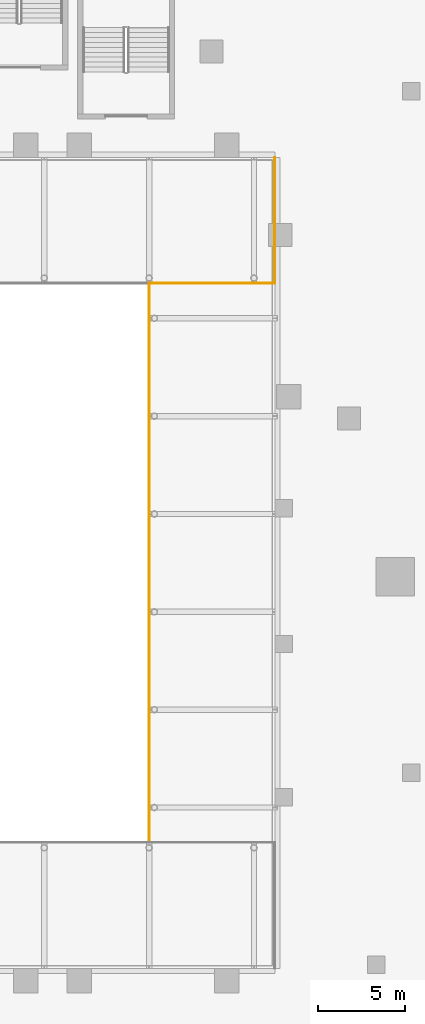
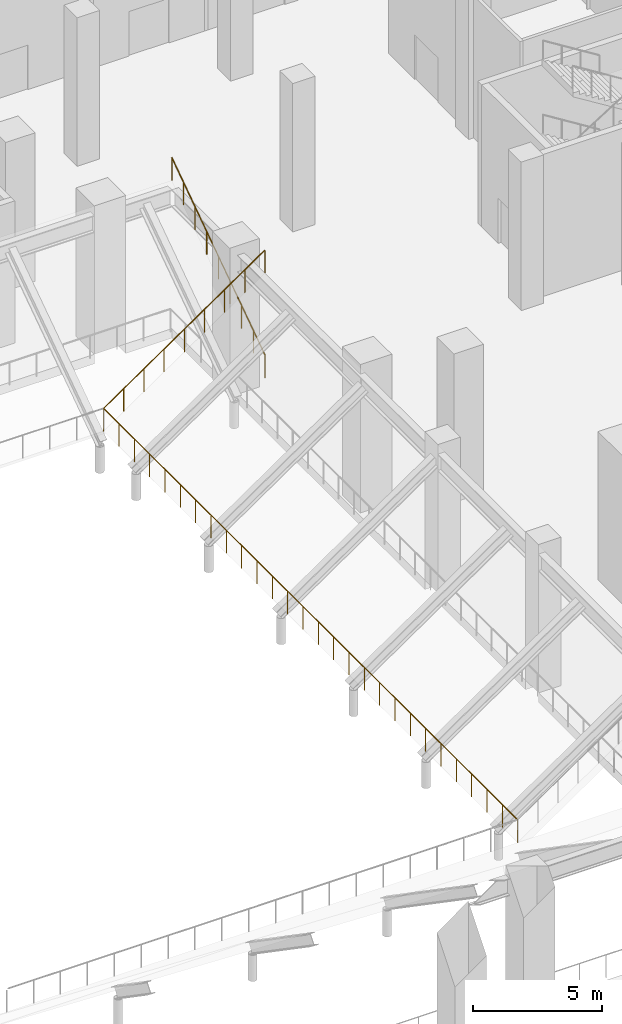
# One storey, part 37 of 41: 3 railings.
"""IFC4 building model written with IfcOpenShell, lengths in metres."""

from ifc_helpers import new_model, si_unit, direction, frame, origin, origin_2d, place, context, subcontext, project, spatial, circle, extrude, material, type_object, element, save


model = new_model("IFC4")

# Units and contexts
model_context = context("Model", 3, precision=1e-05, world=origin(), true_north=direction((0.0, 1.0)))
body_context = subcontext(model_context, "Body", "Model", "MODEL_VIEW")
ifc_project = project(units=[si_unit("LENGTHUNIT", "METRE"), si_unit("AREAUNIT", "SQUARE_METRE"), si_unit("VOLUMEUNIT", "CUBIC_METRE"), si_unit("PLANEANGLEUNIT", "RADIAN"), si_unit("MASSUNIT", "GRAM", prefix="KILO")], contexts=[model_context])

# Site, building, storey
site_placement = place(None, origin())
site = spatial("IfcSite", under=ifc_project, at=site_placement, CompositionType="ELEMENT")
building_placement = place(site_placement, origin())
building = spatial("IfcBuilding", under=site, at=building_placement, Name="Wharfspan Tower", CompositionType="ELEMENT")
storey_placement = place(building_placement, frame((0.0, 0.0, 8.0)))
storey = spatial("IfcBuildingStorey", under=building, at=storey_placement, Name="L01", CompositionType="ELEMENT", Elevation=8.0)

# Railings
ifc_material = material(Name="Steel S355J2", Category="steel")
railing_type = type_object("IfcRailingType", Name="Guard 1100", PredefinedType="GUARDRAIL", material=ifc_material)
railing_1_placement = place(storey_placement, frame((76.0, -14.0, 2.050049)))
element("IfcRailing", 1, at=railing_1_placement, inside=storey, type_object=railing_type, Name="Guard on the upper tier", PredefinedType="GUARDRAIL", context=body_context, shape_type="SweptSolid", body=[
    extrude(circle(Radius=0.024902, at=origin_2d()), frame((0.0, 0.0, 1.075195), z_axis=(0.0, 1.0, 0.0), x_axis=(-1.0, 0.0, 0.0)), (0.0, 0.0, 1.0), 32.0),
    extrude(circle(Radius=0.02002, at=origin_2d()), origin(), (0.0, 0.0, 1.0), 1.050049),
    extrude(circle(Radius=0.02002, at=origin_2d()), frame((0.0, 1.185303, 0.0)), (0.0, 0.0, 1.0), 1.050049),
    extrude(circle(Radius=0.02002, at=origin_2d()), frame((0.0, 2.370361, 0.0)), (0.0, 0.0, 1.0), 1.050049),
    extrude(circle(Radius=0.02002, at=origin_2d()), frame((0.0, 3.555664, 0.0)), (0.0, 0.0, 1.0), 1.050049),
    extrude(circle(Radius=0.02002, at=origin_2d()), frame((0.0, 4.740723, 0.0)), (0.0, 0.0, 1.0), 1.050049),
    extrude(circle(Radius=0.02002, at=origin_2d()), frame((0.0, 5.926025, 0.0)), (0.0, 0.0, 1.0), 1.050049),
    extrude(circle(Radius=0.02002, at=origin_2d()), frame((0.0, 7.111084, 0.0)), (0.0, 0.0, 1.0), 1.050049),
    extrude(circle(Radius=0.02002, at=origin_2d()), frame((0.0, 8.296387, 0.0)), (0.0, 0.0, 1.0), 1.050049),
    extrude(circle(Radius=0.02002, at=origin_2d()), frame((0.0, 9.481445, 0.0)), (0.0, 0.0, 1.0), 1.050049),
    extrude(circle(Radius=0.02002, at=origin_2d()), frame((0.0, 10.666748, 0.0)), (0.0, 0.0, 1.0), 1.050049),
    extrude(circle(Radius=0.02002, at=origin_2d()), frame((0.0, 11.851807, 0.0)), (0.0, 0.0, 1.0), 1.050049),
    extrude(circle(Radius=0.02002, at=origin_2d()), frame((0.0, 13.037109, 0.0)), (0.0, 0.0, 1.0), 1.050049),
    extrude(circle(Radius=0.02002, at=origin_2d()), frame((0.0, 14.222168, 0.0)), (0.0, 0.0, 1.0), 1.050049),
    extrude(circle(Radius=0.02002, at=origin_2d()), frame((0.0, 15.407471, 0.0)), (0.0, 0.0, 1.0), 1.050049),
    extrude(circle(Radius=0.02002, at=origin_2d()), frame((0.0, 16.592529, 0.0)), (0.0, 0.0, 1.0), 1.050049),
    extrude(circle(Radius=0.02002, at=origin_2d()), frame((0.0, 17.777832, 0.0)), (0.0, 0.0, 1.0), 1.050049),
    extrude(circle(Radius=0.02002, at=origin_2d()), frame((0.0, 18.962891, 0.0)), (0.0, 0.0, 1.0), 1.050049),
    extrude(circle(Radius=0.02002, at=origin_2d()), frame((0.0, 20.148193, 0.0)), (0.0, 0.0, 1.0), 1.050049),
    extrude(circle(Radius=0.02002, at=origin_2d()), frame((0.0, 21.333252, 0.0)), (0.0, 0.0, 1.0), 1.050049),
    extrude(circle(Radius=0.02002, at=origin_2d()), frame((0.0, 22.518555, 0.0)), (0.0, 0.0, 1.0), 1.050049),
    extrude(circle(Radius=0.02002, at=origin_2d()), frame((0.0, 23.703613, 0.0)), (0.0, 0.0, 1.0), 1.050049),
    extrude(circle(Radius=0.02002, at=origin_2d()), frame((0.0, 24.888916, 0.0)), (0.0, 0.0, 1.0), 1.050049),
    extrude(circle(Radius=0.02002, at=origin_2d()), frame((0.0, 26.073975, 0.0)), (0.0, 0.0, 1.0), 1.050049),
    extrude(circle(Radius=0.02002, at=origin_2d()), frame((0.0, 27.259277, 0.0)), (0.0, 0.0, 1.0), 1.050049),
    extrude(circle(Radius=0.02002, at=origin_2d()), frame((0.0, 28.444336, 0.0)), (0.0, 0.0, 1.0), 1.050049),
    extrude(circle(Radius=0.02002, at=origin_2d()), frame((0.0, 29.629639, 0.0)), (0.0, 0.0, 1.0), 1.050049),
    extrude(circle(Radius=0.02002, at=origin_2d()), frame((0.0, 30.814697, 0.0)), (0.0, 0.0, 1.0), 1.050049),
    extrude(circle(Radius=0.02002, at=origin_2d()), frame((0.0, 32.0, 0.0)), (0.0, 0.0, 1.0), 1.050049),
])
railing_2_placement = place(storey_placement, frame((76.0, 18.0, 2.050049)))
element("IfcRailing", 2, at=railing_2_placement, inside=storey, type_object=railing_type, Name="Guard on the upper tier", PredefinedType="GUARDRAIL", context=body_context, shape_type="SweptSolid", body=[
    extrude(circle(Radius=0.024902, at=origin_2d()), frame((0.0, 0.0, 1.075195), z_axis=(0.824043, 0.0, 0.566528), x_axis=(0.0, 1.0, 0.0)), (0.0, 0.0, 1.0), 8.737305),
    extrude(circle(Radius=0.02002, at=origin_2d()), origin(), (0.0, 0.0, 1.0), 1.050049),
    extrude(circle(Radius=0.02002, at=origin_2d()), frame((0.899902, 0.0, 0.618652)), (0.0, 0.0, 1.0), 1.050049),
    extrude(circle(Radius=0.02002, at=origin_2d()), frame((1.800049, 0.0, 1.237549)), (0.0, 0.0, 1.0), 1.050049),
    extrude(circle(Radius=0.02002, at=origin_2d()), frame((2.699951, 0.0, 1.856201)), (0.0, 0.0, 1.0), 1.050049),
    extrude(circle(Radius=0.02002, at=origin_2d()), frame((3.600098, 0.0, 2.475098)), (0.0, 0.0, 1.0), 1.050049),
    extrude(circle(Radius=0.02002, at=origin_2d()), frame((4.5, 0.0, 3.09375)), (0.0, 0.0, 1.0), 1.050049),
    extrude(circle(Radius=0.02002, at=origin_2d()), frame((5.399902, 0.0, 3.712402)), (0.0, 0.0, 1.0), 1.050049),
    extrude(circle(Radius=0.02002, at=origin_2d()), frame((6.300049, 0.0, 4.331299)), (0.0, 0.0, 1.0), 1.050049),
    extrude(circle(Radius=0.02002, at=origin_2d()), frame((7.199951, 0.0, 4.949951)), (0.0, 0.0, 1.0), 1.050049),
])
railing_3_placement = place(storey_placement, frame((83.199951, 18.0, 2.050049)))
element("IfcRailing", 3, at=railing_3_placement, inside=storey, type_object=railing_type, Name="Guard on the upper tier", PredefinedType="GUARDRAIL", context=body_context, shape_type="SweptSolid", body=[
    extrude(circle(Radius=0.024902, at=origin_2d()), frame((0.0, 0.0, 1.075195), z_axis=(0.0, 0.824043, 0.566528), x_axis=(-1.0, 0.0, 0.0)), (0.0, 0.0, 1.0), 8.737305),
    extrude(circle(Radius=0.02002, at=origin_2d()), origin(), (0.0, 0.0, 1.0), 1.050049),
    extrude(circle(Radius=0.02002, at=origin_2d()), frame((0.0, 0.899902, 0.618652)), (0.0, 0.0, 1.0), 1.050049),
    extrude(circle(Radius=0.02002, at=origin_2d()), frame((0.0, 1.800049, 1.237549)), (0.0, 0.0, 1.0), 1.050049),
    extrude(circle(Radius=0.02002, at=origin_2d()), frame((0.0, 2.699951, 1.856201)), (0.0, 0.0, 1.0), 1.050049),
    extrude(circle(Radius=0.02002, at=origin_2d()), frame((0.0, 3.600098, 2.475098)), (0.0, 0.0, 1.0), 1.050049),
    extrude(circle(Radius=0.02002, at=origin_2d()), frame((0.0, 4.5, 3.09375)), (0.0, 0.0, 1.0), 1.050049),
    extrude(circle(Radius=0.02002, at=origin_2d()), frame((0.0, 5.399902, 3.712402)), (0.0, 0.0, 1.0), 1.050049),
    extrude(circle(Radius=0.02002, at=origin_2d()), frame((0.0, 6.300049, 4.331299)), (0.0, 0.0, 1.0), 1.050049),
    extrude(circle(Radius=0.02002, at=origin_2d()), frame((0.0, 7.199951, 4.949951)), (0.0, 0.0, 1.0), 1.050049),
])

save(model, "model.ifc")
